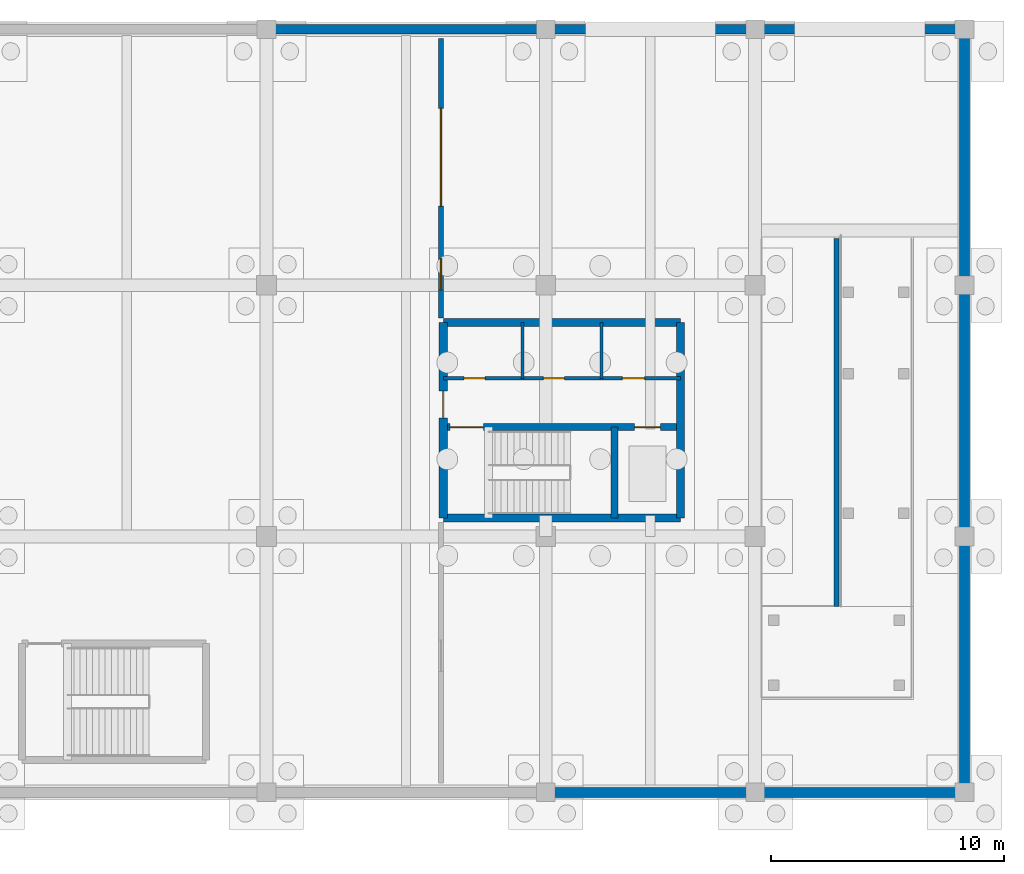
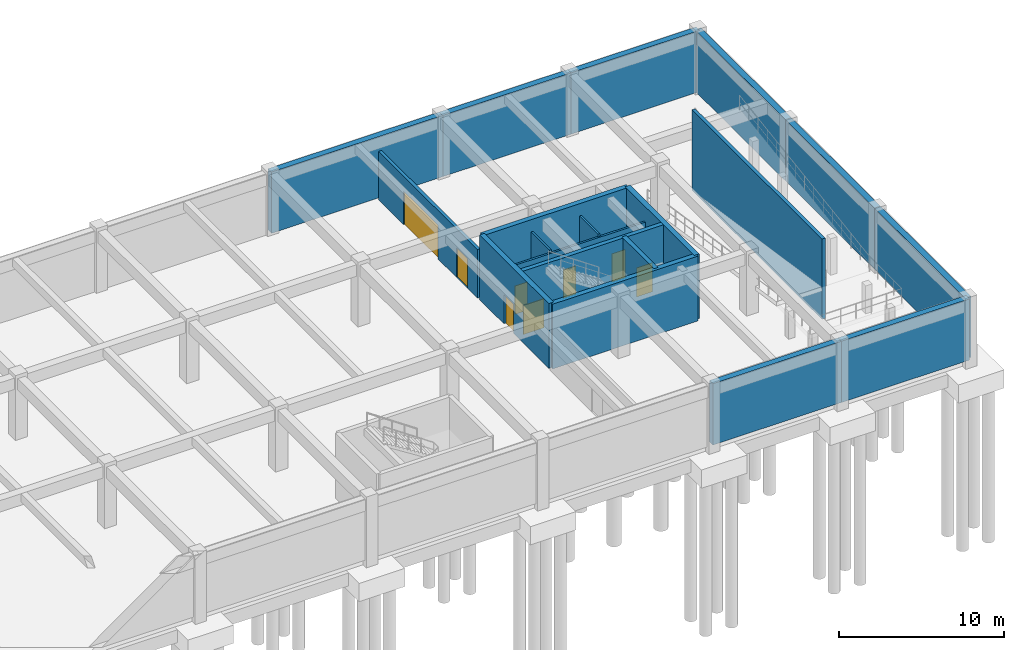
# One storey, part 5 of 8: 19 walls, 8 doors, 8 openings.
"""IFC4 building model written with IfcOpenShell, lengths in metres."""

from ifc_helpers import new_model, si_unit, derived_unit, direction, frame, frame_2d, origin, place, context, subcontext, project, spatial, rectangle, extrude, material, layer, layer_set, type_object, element, fill, save


model = new_model("IFC4")

# Units and contexts
model_context = context("Model", 3, precision=1e-05, world=origin(), true_north=direction((0.0, 1.0)))
body_context = subcontext(model_context, "Body", "Model", "MODEL_VIEW")
ifc_project = project(units=[si_unit("LENGTHUNIT", "METRE"), si_unit("AREAUNIT", "SQUARE_METRE"), si_unit("VOLUMEUNIT", "CUBIC_METRE"), si_unit("PLANEANGLEUNIT", "RADIAN"), si_unit("MASSUNIT", "GRAM", prefix="KILO"), derived_unit("THERMALTRANSMITTANCEUNIT", [(si_unit("POWERUNIT", "WATT"), 1), (si_unit("LENGTHUNIT", "METRE"), -2), (si_unit("THERMODYNAMICTEMPERATUREUNIT", "KELVIN"), -1)])], contexts=[model_context])

# Site, building, storey
site_placement = place(None, origin())
site = spatial("IfcSite", under=ifc_project, at=site_placement, CompositionType="ELEMENT")
building_placement = place(site_placement, origin())
building = spatial("IfcBuilding", under=site, at=building_placement, Name="Almenara Railside Exhibition Hall", CompositionType="ELEMENT")
storey_placement = place(building_placement, frame((0.0, 0.0, -4.800048828125)))
storey = spatial("IfcBuildingStorey", under=building, at=storey_placement, Name="B1", CompositionType="ELEMENT", Elevation=-4.800048828125)

# Walls
ifc_material_1 = material(Name="Concrete C35/45", Category="concrete")
ifc_layer_1 = layer(ifc_material_1, 0.419921875, Name="Concrete C35/45")
ifc_layer_set_1 = layer_set([ifc_layer_1], Name="Concrete C35/45")
wall_type_1 = type_object("IfcWallType", Name="Basement Tanked Retaining Wall 420mm C35/45", PredefinedType="STANDARD", material=ifc_layer_set_1)
wall_1_placement = place(storey_placement, frame((186.0, 32.800048828125, 0.0), z_axis=(0.0, 0.0, 1.0), x_axis=(-1.0, 0.0, 0.0)))
element("IfcWall", 1, at=wall_1_placement, inside=storey, type_object=wall_type_1, Name="Exterior wall 0012", PredefinedType="STANDARD", context=body_context, shape_type="SweptSolid", body=[
    extrude(rectangle(XDim=12.0, YDim=0.419921875, at=frame_2d((6.0, 0.0))), origin(), (0.0, 0.0, 1.0), 4.5400390625),
])
for number, where, z_axis, x_axis, name in (
    (2, (186.0, 0.0, 0.0), (0.0, 0.0, 1.0), (1.0, 0.0, 0.0), "Exterior wall 0013"),
    (3, (195.0, 32.800048828125, 0.0), (0.0, 0.0, 1.0), (-1.0, 0.0, 0.0), "Exterior wall 0014"),
    (4, (195.0, 0.0, 0.0), (0.0, 0.0, 1.0), (1.0, 0.0, 0.0), "Exterior wall 0015"),
    (5, (204.0, 32.800048828125, 0.0), (0.0, 0.0, 1.0), (-1.0, 0.0, 0.0), "Exterior wall 0016"),
):
    element("IfcWall", number, at=place(storey_placement, frame(where, z_axis=z_axis, x_axis=x_axis)), inside=storey, type_object=wall_type_1, Name=name, PredefinedType="STANDARD", context=body_context, shape_type="SweptSolid", body=[
        extrude(rectangle(XDim=9.0, YDim=0.419921875, at=frame_2d((4.5, 0.0))), origin(), (0.0, 0.0, 1.0), 4.5400390625),
    ])
wall_2_placement = place(storey_placement, frame((204.0, 0.0, 0.0), z_axis=(0.0, 0.0, 1.0), x_axis=(0.0, 1.0, 0.0)))
element("IfcWall", 6, at=wall_2_placement, inside=storey, type_object=wall_type_1, Name="Exterior wall 0017", PredefinedType="STANDARD", context=body_context, shape_type="SweptSolid", body=[
    extrude(rectangle(XDim=11.0, YDim=0.419921875, at=frame_2d((5.5, 0.0))), origin(), (0.0, 0.0, 1.0), 4.5400390625),
])
wall_3_placement = place(storey_placement, frame((204.0, 11.0, 0.0), z_axis=(0.0, 0.0, 1.0), x_axis=(0.0, 1.0, 0.0)))
element("IfcWall", 7, at=wall_3_placement, inside=storey, type_object=wall_type_1, Name="Exterior wall 0019", PredefinedType="STANDARD", context=body_context, shape_type="SweptSolid", body=[
    extrude(rectangle(XDim=10.800048828125, YDim=0.419921875, at=frame_2d((5.39990234375, 0.0))), origin(), (0.0, 0.0, 1.0), 4.5400390625),
])
wall_4_placement = place(storey_placement, frame((204.0, 21.800048828125, 0.0), z_axis=(0.0, 0.0, 1.0), x_axis=(0.0, 1.0, 0.0)))
element("IfcWall", 8, at=wall_4_placement, inside=storey, type_object=wall_type_1, Name="Exterior wall 0021", PredefinedType="STANDARD", context=body_context, shape_type="SweptSolid", body=[
    extrude(rectangle(XDim=11.0, YDim=0.419921875, at=frame_2d((5.5, 0.0))), origin(), (0.0, 0.0, 1.0), 4.5400390625),
])
ifc_layer_2 = layer(ifc_material_1, 0.35009765625, Name="Concrete C35/45")
ifc_layer_set_2 = layer_set([ifc_layer_2], Name="Concrete C35/45")
wall_type_2 = type_object("IfcWallType", Name="Core Coupled Shear Wall 350mm C35/45", PredefinedType="SHEAR", material=ifc_layer_set_2)
for number, where, z_axis, x_axis, name in (
    (9, (181.60009765625, 11.800048828125, 0.0), (0.0, 0.0, 1.0), (1.0, 0.0, 0.0), "Interior wall 0145"),
    (10, (191.800048828125, 20.199951171875, 0.0), (0.0, 0.0, 1.0), (-1.0, 0.0, 0.0), "Interior wall 0146"),
):
    element("IfcWall", number, at=place(storey_placement, frame(where, z_axis=z_axis, x_axis=x_axis)), inside=storey, type_object=wall_type_2, Name=name, PredefinedType="SHEAR", context=body_context, shape_type="SweptSolid", body=[
        extrude(rectangle(XDim=10.199951171875, YDim=0.35009765625, at=frame_2d((5.10009765625, 0.0))), origin(), (0.0, 0.0, 1.0), 4.800048828125),
    ])

# Wall, opening, door
wall_5_placement = place(storey_placement, frame((181.60009765625, 20.199951171875, 0.0), z_axis=(0.0, 0.0, 1.0), x_axis=(0.0, -1.0, 0.0)))
wall_5 = element("IfcWall", 11, at=wall_5_placement, inside=storey, type_object=wall_type_2, Name="Interior wall 0147", PredefinedType="SHEAR", context=body_context, shape_type="SweptSolid", body=[
    extrude(rectangle(XDim=8.39990234375, YDim=0.35009765625, at=frame_2d((4.199951171875, 0.0))), origin(), (0.0, 0.0, 1.0), 4.800048828125),
])
opening_1_placement = place(wall_5_placement, frame((2.949951171875, 0.0, 0.0)))
opening_1 = element("IfcOpeningElement", 12, at=opening_1_placement, cuts=wall_5, Name="Opening FD-115", PredefinedType="OPENING", context=body_context, shape_type="SweptSolid", body=[
    extrude(rectangle(XDim=1.14990234375, YDim=2.14990234375, at=frame_2d((0.574951171875, 1.074951171875))), frame((0.0, 0.18505859375, 0.0), z_axis=(0.0, -1.0, 0.0), x_axis=(1.0, 0.0, 0.0)), (0.0, 0.0, 1.0), 0.3701171875),
])
ifc_material_2 = material(Name="Fire-rated iroko timber door", Category="wood")
door_type_1 = type_object("IfcDoorType", Name="Core Lobby Fire Door 1150x2150 EI60", OperationType="NOTDEFINED", PredefinedType="DOOR", material=ifc_material_2)
door_1_placement = place(opening_1_placement, origin())
door_1 = element("IfcDoor", 13, at=door_1_placement, inside=storey, type_object=door_type_1, Name="Interior door FD-115-097", OperationType="SINGLE_SWING_LEFT", OverallHeight=2.14990234375, OverallWidth=1.14990234375, PredefinedType="DOOR", context=body_context, shape_type="SweptSolid", body=[
    extrude(rectangle(XDim=1.14990234375, YDim=2.14990234375, at=frame_2d((0.574951171875, 1.074951171875))), frame((0.0, 0.02490234375, 0.0), z_axis=(0.0, -1.0, 0.0), x_axis=(1.0, 0.0, 0.0)), (0.0, 0.0, 1.0), 0.050048828125),
])
fill(opening_1, door_1)

# Wall
wall_6_placement = place(storey_placement, frame((191.800048828125, 11.800048828125, 0.0), z_axis=(0.0, 0.0, 1.0), x_axis=(0.0, 1.0, 0.0)))
element("IfcWall", 14, at=wall_6_placement, inside=storey, type_object=wall_type_2, Name="Interior wall 0148", PredefinedType="SHEAR", context=body_context, shape_type="SweptSolid", body=[
    extrude(rectangle(XDim=8.39990234375, YDim=0.35009765625, at=frame_2d((4.199951171875, 0.0))), origin(), (0.0, 0.0, 1.0), 4.800048828125),
])

# Wall, openings, doors
ifc_material_3 = material(Name="Insulated masonry over Concrete C35/45", Category="masonry")
ifc_layer_3 = layer(ifc_material_3, 0.219970703125, Name="Insulated masonry over Concrete C35/45")
ifc_layer_set_3 = layer_set([ifc_layer_3], Name="Insulated masonry over Concrete C35/45")
wall_type_3 = type_object("IfcWallType", Name="Occupancy Separating Fire Wall 220mm", PredefinedType="SOLIDWALL", material=ifc_layer_set_3)
wall_7_placement = place(storey_placement, frame((181.5, 20.39990234375, 0.0), z_axis=(0.0, 0.0, 1.0), x_axis=(0.0, 1.0, 0.0)))
wall_7 = element("IfcWall", 15, at=wall_7_placement, inside=storey, type_object=wall_type_3, Name="Interior wall 0358", PredefinedType="SOLIDWALL", context=body_context, shape_type="SweptSolid", body=[
    extrude(rectangle(XDim=12.0, YDim=0.219970703125, at=frame_2d((6.0, 0.0))), origin(), (0.0, 0.0, 1.0), 3.60009765625),
])
opening_2_placement = place(wall_7_placement, frame((1.199951171875, 0.0, 0.0)))
opening_2 = element("IfcOpeningElement", 16, at=opening_2_placement, cuts=wall_7, Name="Opening FD-135", PredefinedType="OPENING", context=body_context, shape_type="SweptSolid", body=[
    extrude(rectangle(XDim=1.35009765625, YDim=2.199951171875, at=frame_2d((0.675048828125, 1.10009765625))), frame((0.0, 0.119873046875, 0.0), z_axis=(0.0, -1.0, 0.0), x_axis=(1.0, 0.0, 0.0)), (0.0, 0.0, 1.0), 0.239990234375),
])
opening_3_placement = place(wall_7_placement, frame((4.800048828125, 0.0, 0.0)))
opening_3 = element("IfcOpeningElement", 17, at=opening_3_placement, cuts=wall_7, Name="Opening VG-05", PredefinedType="OPENING", context=body_context, shape_type="SweptSolid", body=[
    extrude(rectangle(XDim=4.199951171875, YDim=2.5, at=frame_2d((2.10009765625, 1.25))), frame((0.0, 0.119873046875, 0.0), z_axis=(0.0, -1.0, 0.0), x_axis=(1.0, 0.0, 0.0)), (0.0, 0.0, 1.0), 0.239990234375),
])
ifc_material_4 = material(Name="Galvanised insulated acoustic steel shutter", Category="steel")
door_type_2 = type_object("IfcDoorType", Name="Basement Car Park Security Roller Gate 4200x2500", OperationType="ROLLINGUP", PredefinedType="GATE", material=ifc_material_4)
door_2_placement = place(opening_3_placement, origin())
door_2 = element("IfcDoor", 18, at=door_2_placement, inside=storey, type_object=door_type_2, Name="Interior door VG-05-209", OperationType="ROLLINGUP", OverallHeight=2.5, OverallWidth=4.199951171875, PredefinedType="GATE", context=body_context, shape_type="SweptSolid", body=[
    extrude(rectangle(XDim=4.199951171875, YDim=2.5, at=frame_2d((2.10009765625, 1.25))), frame((0.0, 0.02490234375, 0.0), z_axis=(0.0, -1.0, 0.0), x_axis=(1.0, 0.0, 0.0)), (0.0, 0.0, 1.0), 0.050048828125),
])
fill(opening_3, door_2)
ifc_material_5 = material(Name="Fire-rated heavy steel door", Category="steel")
door_type_3 = type_object("IfcDoorType", Name="Plant and Store Fire Door 1350x2200 FD120", OperationType="NOTDEFINED", PredefinedType="DOOR", material=ifc_material_5)
door_3_placement = place(opening_2_placement, origin())
door_3 = element("IfcDoor", 19, at=door_3_placement, inside=storey, type_object=door_type_3, Name="Interior door FD-135-208", OperationType="SINGLE_SWING_LEFT", OverallHeight=2.199951171875, OverallWidth=1.35009765625, PredefinedType="DOOR", context=body_context, shape_type="SweptSolid", body=[
    extrude(rectangle(XDim=1.35009765625, YDim=2.199951171875, at=frame_2d((0.675048828125, 1.10009765625))), frame((0.0, 0.02490234375, 0.0), z_axis=(0.0, -1.0, 0.0), x_axis=(1.0, 0.0, 0.0)), (0.0, 0.0, 1.0), 0.050048828125),
])
fill(opening_2, door_3)

# Wall
ifc_material_6 = material(Name="Koppie quartzite stone over Concrete C35/45", Category="masonry")
ifc_layer_4 = layer(ifc_material_6, 0.235107421875, Name="Koppie quartzite stone over Concrete C35/45")
ifc_layer_set_4 = layer_set([ifc_layer_4], Name="Koppie quartzite stone over Concrete C35/45")
wall_type_4 = type_object("IfcWallType", Name="Planted Terrace Kerb Parapet 235mm C35/45", PredefinedType="PARAPET", material=ifc_layer_set_4)
wall_8_placement = place(storey_placement, frame((198.5, 8.0, 0.0), z_axis=(0.0, 0.0, 1.0), x_axis=(0.0, 1.0, 0.0)))
element("IfcWall", 20, at=wall_8_placement, inside=storey, type_object=wall_type_4, Name="Exterior wall 0310", PredefinedType="PARAPET", context=body_context, shape_type="SweptSolid", body=[
    extrude(rectangle(XDim=15.800048828125, YDim=0.235107421875, at=frame_2d((7.89990234375, 0.0))), origin(), (0.0, 0.0, 1.0), 5.949951171875),
])

# Wall, openings, doors
ifc_material_7 = material(Name="Moisture-resistant tiled masonry partition", Category="masonry")
ifc_layer_5 = layer(ifc_material_7, 0.139892578125, Name="Moisture-resistant tiled masonry partition")
ifc_layer_set_5 = layer_set([ifc_layer_5], Name="Moisture-resistant tiled masonry partition")
wall_type_5 = type_object("IfcWallType", Name="Sanitary Wet-Wall Partition 140mm", PredefinedType="PARTITIONING", material=ifc_layer_set_5)
wall_9_placement = place(storey_placement, frame((181.60009765625, 17.800048828125, 0.0), z_axis=(0.0, 0.0, 1.0), x_axis=(1.0, 0.0, 0.0)))
wall_9 = element("IfcWall", 21, at=wall_9_placement, inside=storey, type_object=wall_type_5, Name="Interior wall 0151", PredefinedType="PARTITIONING", context=body_context, shape_type="SweptSolid", body=[
    extrude(rectangle(XDim=10.199951171875, YDim=0.139892578125, at=frame_2d((5.10009765625, 0.0))), origin(), (0.0, 0.0, 1.0), 3.675048828125),
])
opening_4_placement = place(wall_9_placement, frame((0.89990234375, 0.0, 0.0)))
opening_4 = element("IfcOpeningElement", 22, at=opening_4_placement, cuts=wall_9, Name="Opening ID-09", PredefinedType="OPENING", context=body_context, shape_type="SweptSolid", body=[
    extrude(rectangle(XDim=0.89990234375, YDim=2.10009765625, at=frame_2d((0.449951171875, 1.050048828125))), frame((0.0, 0.079833984375, 0.0), z_axis=(0.0, -1.0, 0.0), x_axis=(1.0, 0.0, 0.0)), (0.0, 0.0, 1.0), 0.159912109375),
])
opening_5_placement = place(wall_9_placement, frame((4.300048828125, 0.0, 0.0)))
opening_5 = element("IfcOpeningElement", 23, at=opening_5_placement, cuts=wall_9, Name="Opening ID-09", PredefinedType="OPENING", context=body_context, shape_type="SweptSolid", body=[
    extrude(rectangle(XDim=0.89990234375, YDim=2.10009765625, at=frame_2d((0.449951171875, 1.050048828125))), frame((0.0, 0.079833984375, 0.0), z_axis=(0.0, -1.0, 0.0), x_axis=(1.0, 0.0, 0.0)), (0.0, 0.0, 1.0), 0.159912109375),
])
opening_6_placement = place(wall_9_placement, frame((7.699951171875, 0.0, 0.0)))
opening_6 = element("IfcOpeningElement", 24, at=opening_6_placement, cuts=wall_9, Name="Opening ID-095", PredefinedType="OPENING", context=body_context, shape_type="SweptSolid", body=[
    extrude(rectangle(XDim=0.949951171875, YDim=2.10009765625, at=frame_2d((0.47509765625, 1.050048828125))), frame((0.0, 0.079833984375, 0.0), z_axis=(0.0, -1.0, 0.0), x_axis=(1.0, 0.0, 0.0)), (0.0, 0.0, 1.0), 0.159912109375),
])
ifc_material_8 = material(Name="Moisture-resistant hardwood door", Category="wood")
door_type_4 = type_object("IfcDoorType", Name="Accessible Toilet Door 950x2100", OperationType="NOTDEFINED", PredefinedType="DOOR", material=ifc_material_8)
door_4_placement = place(opening_6_placement, origin())
door_4 = element("IfcDoor", 25, at=door_4_placement, inside=storey, type_object=door_type_4, Name="Interior door ID-095-102", OperationType="SINGLE_SWING_RIGHT", OverallHeight=2.10009765625, OverallWidth=0.949951171875, PredefinedType="DOOR", context=body_context, shape_type="SweptSolid", body=[
    extrude(rectangle(XDim=0.949951171875, YDim=2.10009765625, at=frame_2d((0.47509765625, 1.050048828125))), frame((0.0, 0.02490234375, 0.0), z_axis=(0.0, -1.0, 0.0), x_axis=(1.0, 0.0, 0.0)), (0.0, 0.0, 1.0), 0.050048828125),
])
fill(opening_6, door_4)
door_type_5 = type_object("IfcDoorType", Name="Sanitary Lobby Single Door 900x2100", OperationType="NOTDEFINED", PredefinedType="DOOR", material=ifc_material_8)
door_5_placement = place(opening_4_placement, origin())
door_5 = element("IfcDoor", 26, at=door_5_placement, inside=storey, type_object=door_type_5, Name="Interior door ID-09-100", OperationType="SINGLE_SWING_RIGHT", OverallHeight=2.10009765625, OverallWidth=0.89990234375, PredefinedType="DOOR", context=body_context, shape_type="SweptSolid", body=[
    extrude(rectangle(XDim=0.89990234375, YDim=2.10009765625, at=frame_2d((0.449951171875, 1.050048828125))), frame((0.0, 0.02490234375, 0.0), z_axis=(0.0, -1.0, 0.0), x_axis=(1.0, 0.0, 0.0)), (0.0, 0.0, 1.0), 0.050048828125),
])
fill(opening_4, door_5)
door_6_placement = place(opening_5_placement, origin())
door_6 = element("IfcDoor", 27, at=door_6_placement, inside=storey, type_object=door_type_5, Name="Interior door ID-09-101", OperationType="SINGLE_SWING_LEFT", OverallHeight=2.10009765625, OverallWidth=0.89990234375, PredefinedType="DOOR", context=body_context, shape_type="SweptSolid", body=[
    extrude(rectangle(XDim=0.89990234375, YDim=2.10009765625, at=frame_2d((0.449951171875, 1.050048828125))), frame((0.0, 0.02490234375, 0.0), z_axis=(0.0, -1.0, 0.0), x_axis=(1.0, 0.0, 0.0)), (0.0, 0.0, 1.0), 0.050048828125),
])
fill(opening_5, door_6)

# Walls
for number, where, z_axis, x_axis, name in (
    (28, (185.0, 17.800048828125, 0.0), (0.0, 0.0, 1.0), (0.0, 1.0, 0.0), "Interior wall 0152"),
    (29, (188.39990234375, 17.800048828125, 0.0), (0.0, 0.0, 1.0), (0.0, 1.0, 0.0), "Interior wall 0153"),
):
    element("IfcWall", number, at=place(storey_placement, frame(where, z_axis=z_axis, x_axis=x_axis)), inside=storey, type_object=wall_type_5, Name=name, PredefinedType="PARTITIONING", context=body_context, shape_type="SweptSolid", body=[
        extrude(rectangle(XDim=2.39990234375, YDim=0.139892578125, at=frame_2d((1.199951171875, 0.0))), origin(), (0.0, 0.0, 1.0), 3.900146484375),
    ])

# Wall, openings, doors
ifc_layer_6 = layer(ifc_material_1, 0.300048828125, Name="Concrete C35/45")
ifc_layer_set_6 = layer_set([ifc_layer_6], Name="Concrete C35/45")
wall_type_6 = type_object("IfcWallType", Name="Stair and Lift Shaft Wall 300mm C35/45", PredefinedType="SHEAR", material=ifc_layer_set_6)
wall_10_placement = place(storey_placement, frame((181.60009765625, 15.699951171875, 0.0), z_axis=(0.0, 0.0, 1.0), x_axis=(1.0, 0.0, 0.0)))
wall_10 = element("IfcWall", 30, at=wall_10_placement, inside=storey, type_object=wall_type_6, Name="Interior wall 0149", PredefinedType="SHEAR", context=body_context, shape_type="SweptSolid", body=[
    extrude(rectangle(XDim=10.199951171875, YDim=0.300048828125, at=frame_2d((5.10009765625, 0.0))), origin(), (0.0, 0.0, 1.0), 4.800048828125),
])
opening_7_placement = place(wall_10_placement, frame((0.280029296875, 0.0, 0.0)))
opening_7 = element("IfcOpeningElement", 31, at=opening_7_placement, cuts=wall_10, Name="Opening FD-145", PredefinedType="OPENING", context=body_context, shape_type="SweptSolid", body=[
    extrude(rectangle(XDim=1.449951171875, YDim=2.14990234375, at=frame_2d((0.72509765625, 1.074951171875))), frame((0.0, 0.159912109375, 0.0), z_axis=(0.0, -1.0, 0.0), x_axis=(1.0, 0.0, 0.0)), (0.0, 0.0, 1.0), 0.320068359375),
])
opening_8_placement = place(wall_10_placement, frame((8.22509765625, 0.0, 0.0)))
opening_8 = element("IfcOpeningElement", 32, at=opening_8_placement, cuts=wall_10, Name="Opening LD-11-C6", PredefinedType="OPENING", context=body_context, shape_type="SweptSolid", body=[
    extrude(rectangle(XDim=1.10009765625, YDim=2.14990234375, at=frame_2d((0.550048828125, 1.074951171875))), frame((0.0, 0.159912109375, 0.0), z_axis=(0.0, -1.0, 0.0), x_axis=(1.0, 0.0, 0.0)), (0.0, 0.0, 1.0), 0.320068359375),
])
ifc_material_9 = material(Name="Steel-framed fire-rated timber door", Category="steel")
door_type_6 = type_object("IfcDoorType", Name="Fire Escape Stair Door 1450x2150 EI60", OperationType="NOTDEFINED", PredefinedType="DOOR", material=ifc_material_9)
door_7_placement = place(opening_7_placement, origin())
door_7 = element("IfcDoor", 33, at=door_7_placement, inside=storey, type_object=door_type_6, Name="Interior door FD-145-098", OperationType="DOUBLE_DOOR_SINGLE_SWING", OverallHeight=2.14990234375, OverallWidth=1.449951171875, PredefinedType="DOOR", context=body_context, shape_type="SweptSolid", body=[
    extrude(rectangle(XDim=1.449951171875, YDim=2.14990234375, at=frame_2d((0.72509765625, 1.074951171875))), frame((0.0, 0.02490234375, 0.0), z_axis=(0.0, -1.0, 0.0), x_axis=(1.0, 0.0, 0.0)), (0.0, 0.0, 1.0), 0.050048828125),
])
fill(opening_7, door_7)
ifc_material_10 = material(Name="Brushed bronze-stainless steel sliding landing door", Category="steel")
door_type_7 = type_object("IfcDoorType", Name="Passenger Lift Sliding Landing Door 1100x2150", OperationType="DOUBLE_DOOR_SLIDING", PredefinedType="DOOR", material=ifc_material_10)
door_8_placement = place(opening_8_placement, origin())
door_8 = element("IfcDoor", 34, at=door_8_placement, inside=storey, type_object=door_type_7, Name="Interior door LD-11-C6-099", OperationType="DOUBLE_DOOR_SLIDING", OverallHeight=2.14990234375, OverallWidth=1.10009765625, PredefinedType="DOOR", context=body_context, shape_type="SweptSolid", body=[
    extrude(rectangle(XDim=1.10009765625, YDim=2.14990234375, at=frame_2d((0.550048828125, 1.074951171875))), frame((0.0, 0.02490234375, 0.0), z_axis=(0.0, -1.0, 0.0), x_axis=(1.0, 0.0, 0.0)), (0.0, 0.0, 1.0), 0.050048828125),
])
fill(opening_8, door_8)

# Wall
wall_11_placement = place(storey_placement, frame((188.949951171875, 11.800048828125, 0.0), z_axis=(0.0, 0.0, 1.0), x_axis=(0.0, 1.0, 0.0)))
element("IfcWall", 35, at=wall_11_placement, inside=storey, type_object=wall_type_6, Name="Interior wall 0150", PredefinedType="SHEAR", context=body_context, shape_type="SweptSolid", body=[
    extrude(rectangle(XDim=3.89990234375, YDim=0.300048828125, at=frame_2d((1.949951171875, 0.0))), origin(), (0.0, 0.0, 1.0), 4.800048828125),
])

save(model, "model.ifc")
